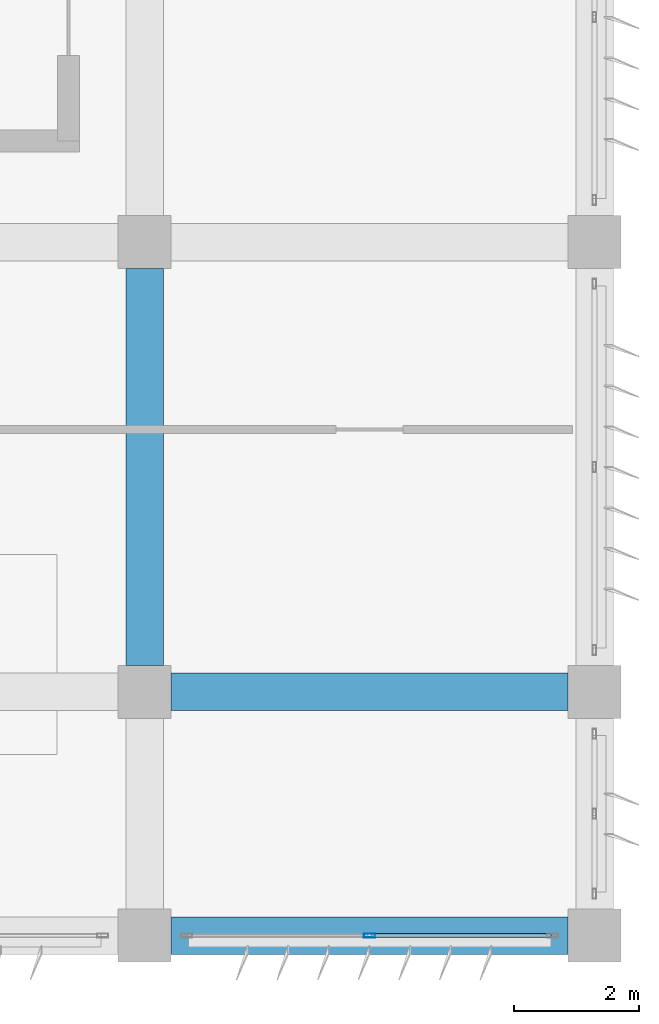
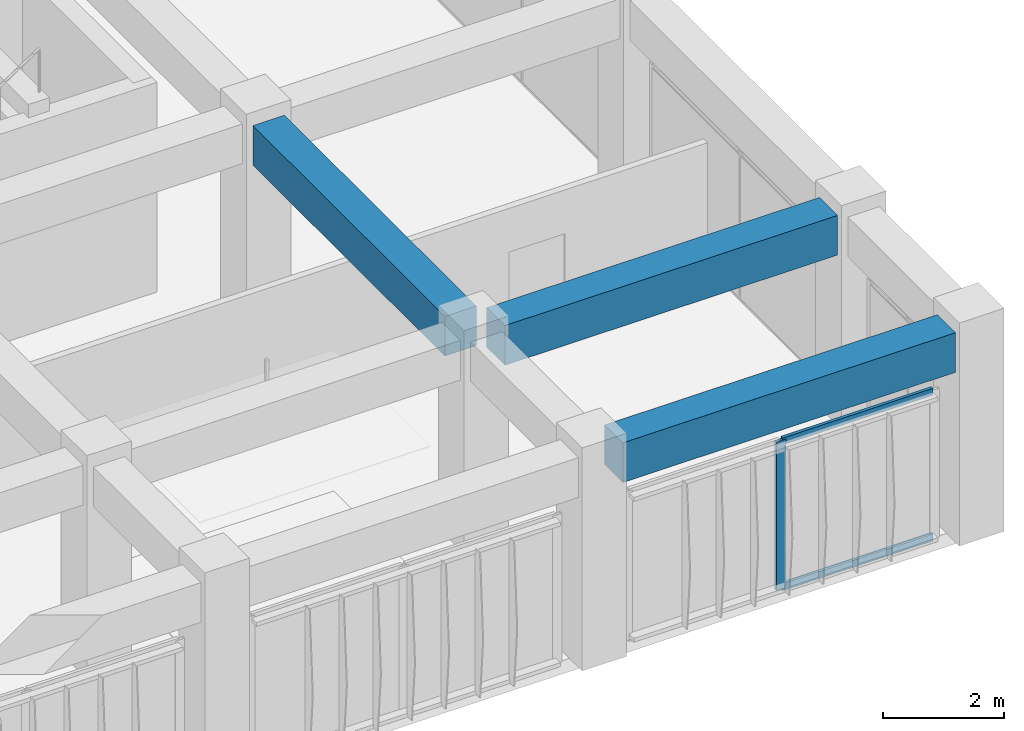
# One storey, part 17 of 48: 3 beams, 3 members, 1 element without a shape of its own.
"""IFC4 building model written with IfcOpenShell, lengths in metres."""

import ifcopenshell
import ifcopenshell.guid

model = None  # the IFC model being written
_history = None  # IfcOwnerHistory: only IFC2X3 demands one
_inside = {}  # id of a spatial element -> (the spatial element, [elements in it])
_under = {}  # id of a project, library or spatial element -> (it, [spatial elements below it])
_declared = {}  # id of a project -> (the project, [libraries it declares])
_typed = {}  # id of a type object -> (the type object, [elements of that type])
_made_of = {}  # id of a material, layer set ... -> (it, [elements and type objects made of it])


def new_model(schema):
    """Start an empty IFC model of exactly this schema.

    Asked for "IFC4X3", IfcOpenShell would pick the latest addendum, in which some entities
    have other attributes; the version numbers below select the first issue.
    IFC2X3 requires an IfcOwnerHistory on every rooted entity: one is made here for all.
    """
    global model, _history
    if schema == "IFC4X3":
        model = ifcopenshell.file(schema_version=(4, 3, 0, 0))
    else:
        model = ifcopenshell.file(schema=schema)
    _inside.clear()
    _under.clear()
    _declared.clear()
    _typed.clear()
    _made_of.clear()
    _history = None
    if model.schema == "IFC2X3":
        org = make("IfcOrganization", Name="unknown")
        user = make(
            "IfcPersonAndOrganization",
            ThePerson=make("IfcPerson", FamilyName="unknown"),
            TheOrganization=org,
        )
        app = make(
            "IfcApplication",
            ApplicationDeveloper=org,
            Version="unknown",
            ApplicationFullName="unknown",
            ApplicationIdentifier="unknown",
        )
        _history = make(
            "IfcOwnerHistory",
            OwningUser=user,
            OwningApplication=app,
            ChangeAction="ADDED",
            CreationDate=0,
        )
    return model


def make(cls, **values):
    """One entity of the class cls with the attributes given. An attribute that is None is left unset."""
    return model.create_entity(
        cls, **{name: value for name, value in values.items() if value is not None}
    )


def rooted(cls, **values):
    """An entity with a GlobalId (a new one), such as an element, a storey or a relation."""
    return make(cls, GlobalId=ifcopenshell.guid.new(), OwnerHistory=_history, **values)


def si_unit(unit_type, name, prefix=None):
    """IfcSIUnit, for example si_unit("LENGTHUNIT", "METRE", prefix="MILLI")."""
    return make("IfcSIUnit", UnitType=unit_type, Prefix=prefix, Name=name)


def assignment(units):
    """IfcUnitAssignment: the units of a project."""
    return None if units is None else make("IfcUnitAssignment", Units=units)


def point(xyz):
    """IfcCartesianPoint."""
    return None if xyz is None else make("IfcCartesianPoint", Coordinates=xyz)


def direction(xyz):
    """IfcDirection."""
    return None if xyz is None else make("IfcDirection", DirectionRatios=xyz)


def frame(location, z_axis=None, x_axis=None):
    """IfcAxis2Placement3D, a coordinate frame: its origin and axes. An axis left out is left unset."""
    return make(
        "IfcAxis2Placement3D",
        Location=point(location),
        Axis=direction(z_axis),
        RefDirection=direction(x_axis),
    )


def frame_2d(location, x_axis=None):
    """IfcAxis2Placement2D, a coordinate frame in the plane: its origin and x axis."""
    return make(
        "IfcAxis2Placement2D", Location=point(location), RefDirection=direction(x_axis)
    )


def origin():
    """The frame at (0, 0, 0) with its axes left unset."""
    return frame((0.0, 0.0, 0.0))


def origin_2d():
    """The frame at (0, 0) in the plane with its x axis left unset."""
    return frame_2d((0.0, 0.0))


def place(relative_to, where):
    """IfcLocalPlacement: puts the frame where relative to a parent placement (None: the world)."""
    return make(
        "IfcLocalPlacement", PlacementRelTo=relative_to, RelativePlacement=where
    )


def context(
    kind, dimensions, precision=None, world=None, true_north=None, identifier=None
):
    """IfcGeometricRepresentationContext, for example the 3D "Model" context."""
    return make(
        "IfcGeometricRepresentationContext",
        ContextIdentifier=identifier,
        ContextType=kind,
        CoordinateSpaceDimension=dimensions,
        Precision=precision,
        WorldCoordinateSystem=world,
        TrueNorth=true_north,
    )


def subcontext(parent, identifier, kind, view, scale=None):
    """IfcGeometricRepresentationSubContext, for example "Body" below "Model"."""
    return make(
        "IfcGeometricRepresentationSubContext",
        ContextIdentifier=identifier,
        ContextType=kind,
        ParentContext=parent,
        TargetScale=scale,
        TargetView=view,
    )


def project(units=None, contexts=None):
    """IfcProject with its units and contexts."""
    return rooted(
        "IfcProject",
        Name="project",
        RepresentationContexts=contexts,
        UnitsInContext=assignment(units),
    )


def spatial(cls, under=None, at=None, **own):
    """A site, building, storey or space (cls), placed at a placement, below another one or the project."""
    s = rooted(cls, ObjectPlacement=at, **own)
    if under is not None:
        _under.setdefault(under.id(), (under, []))[1].append(s)
    return s


def profile(cls, at=None, kind="AREA", **sizes):
    """A parametric profile (cls). Its sizes go by their IFC names, for example OverallWidth=200.0."""
    return make(cls, ProfileType=kind, Position=at, **sizes)


def rectangle(**sizes):
    """IfcRectangleProfileDef."""
    return profile("IfcRectangleProfileDef", **sizes)


def hollow_rectangle(**sizes):
    """IfcRectangleHollowProfileDef."""
    return profile("IfcRectangleHollowProfileDef", **sizes)


def extrude(swept, where, along, depth):
    """IfcExtrudedAreaSolid: the profile swept, set in the frame where, extruded along a direction by depth."""
    return make(
        "IfcExtrudedAreaSolid",
        SweptArea=swept,
        Position=where,
        ExtrudedDirection=direction(along),
        Depth=depth,
    )


def shape(context_of_items, identifier, shape_type, items):
    """IfcShapeRepresentation: the items that make up one representation, for example the "Body"."""
    return make(
        "IfcShapeRepresentation",
        ContextOfItems=context_of_items,
        RepresentationIdentifier=identifier,
        RepresentationType=shape_type,
        Items=items,
    )


def material(Name=None, Category=None):
    """IfcMaterial."""
    return make("IfcMaterial", Name=Name, Category=Category)


def material_profile(
    of_material, cross_section, Name=None, Category=None, Priority=None
):
    """IfcMaterialProfile: a cross section and its material."""
    return make(
        "IfcMaterialProfile",
        Name=Name,
        Material=of_material,
        Profile=cross_section,
        Priority=Priority,
        Category=Category,
    )


def profile_set(profiles, Name=None, composite=None):
    """IfcMaterialProfileSet."""
    return make(
        "IfcMaterialProfileSet",
        Name=Name,
        MaterialProfiles=profiles,
        CompositeProfile=composite,
    )


def made_of(thing, what):
    """Note that an element or type object is made of a material, layer set ...; save() writes the relation."""
    if what is not None:
        _made_of.setdefault(what.id(), (what, []))[1].append(thing)
    return thing


def type_object(cls, material=None, **own):
    """A type object (cls), such as IfcWallType, which elements share."""
    return made_of(rooted(cls, **own), material)


def element(
    cls,
    number,
    at=None,
    inside=None,
    cuts=None,
    type_object=None,
    material=None,
    context=None,
    identifier="Body",
    shape_type=None,
    held_by="IfcProductDefinitionShape",
    body=None,
    shapes=None,
    **own,
):
    """One element of the class cls, such as IfcWall. Its Tag is "e" and its number.

    at: its placement. inside: the storey or other place that contains it. cuts: it is an
    opening in that element (IfcRelVoidsElement). A single representation is given by context,
    identifier, shape_type and body (its items); several are given by shapes. held_by: the class
    of the entity that holds the representations. save() writes the other relations.
    """
    e = rooted(cls, Tag="e%d" % number, ObjectPlacement=at, **own)
    if body is not None:
        shapes = [shape(context, identifier, shape_type, body)]
    if shapes is not None:
        e.Representation = make(held_by, Representations=shapes)
    if inside is not None:
        _inside.setdefault(inside.id(), (inside, []))[1].append(e)
    if cuts is not None:
        rooted(
            "IfcRelVoidsElement", RelatingBuildingElement=cuts, RelatedOpeningElement=e
        )
    if type_object is not None:
        _typed.setdefault(type_object.id(), (type_object, []))[1].append(e)
    return made_of(e, material)


def aggregate(whole, parts):
    """IfcRelAggregates: a whole, such as a stair, and the parts it consists of."""
    return rooted("IfcRelAggregates", RelatingObject=whole, RelatedObjects=parts)


def save(model, path):
    """Write the relations noted so far, then the file.

    IfcRelAggregates (storeys below a building ...), IfcRelContainedInSpatialStructure (elements
    in a storey), IfcRelDefinesByType, IfcRelAssociatesMaterial and IfcRelDeclares: one each for
    every whole, place, type object, material and project.
    """
    for whole, parts in _under.values():
        aggregate(whole, parts)
    for where, things in _inside.values():
        rooted(
            "IfcRelContainedInSpatialStructure",
            RelatedElements=things,
            RelatingStructure=where,
        )
    for kind, things in _typed.values():
        rooted("IfcRelDefinesByType", RelatedObjects=things, RelatingType=kind)
    for what, things in _made_of.values():
        rooted("IfcRelAssociatesMaterial", RelatedObjects=things, RelatingMaterial=what)
    for by, libraries in _declared.values():
        rooted("IfcRelDeclares", RelatingContext=by, RelatedDefinitions=libraries)
    model.write(path)


model = new_model("IFC4")

# Units and contexts
model_context = context("Model", 3, precision=1e-05, world=origin(), true_north=direction((0.0, 1.0)))
body_context = subcontext(model_context, "Body", "Model", "MODEL_VIEW")
ifc_project = project(units=[si_unit("LENGTHUNIT", "METRE"), si_unit("AREAUNIT", "SQUARE_METRE"), si_unit("VOLUMEUNIT", "CUBIC_METRE"), si_unit("PLANEANGLEUNIT", "RADIAN"), si_unit("MASSUNIT", "GRAM", prefix="KILO")], contexts=[model_context])

# Site, building, storey
site_placement = place(None, origin())
site = spatial("IfcSite", under=ifc_project, at=site_placement, CompositionType="ELEMENT")
building_placement = place(site_placement, origin())
building = spatial("IfcBuilding", under=site, at=building_placement, Name="Kazehaya Institute of Natural Sciences", CompositionType="ELEMENT")
storey_placement = place(building_placement, frame((0.0, 0.0, 19.800048828125)))
storey = spatial("IfcBuildingStorey", under=building, at=storey_placement, Name="L04", CompositionType="ELEMENT", Elevation=19.800048828125)

# Beams
ifc_material_1 = material(Name="Concrete Fc36", Category="concrete")
ifc_material_profile_1 = material_profile(ifc_material_1, rectangle(XDim=0.60009765625, YDim=0.800048828125, at=origin_2d()), Name="RC-600x800")
ifc_profile_set_1 = profile_set([ifc_material_profile_1], Name="Concrete Fc36")
beam_type = type_object("IfcBeamType", Name="BM-G-600x800", PredefinedType="BEAM", material=ifc_profile_set_1)
for number, where, z_axis, x_axis, name in (
    (1, (112.625, 10.10009765625, 3.829833984375), (1.0, 0.0, 0.0), (0.0, 1.0, 0.0), "L04 primary X girder BMX-L04-1122-101"),
    (2, (112.625, 14.0, 3.829833984375), (1.0, 0.0, 0.0), (0.0, 1.0, 0.0), "L04 primary X girder BMX-L04-1122-140"),
):
    element("IfcBeam", number, at=place(storey_placement, frame(where, z_axis=z_axis, x_axis=x_axis)), inside=storey, type_object=beam_type, Name=name, PredefinedType="BEAM", context=body_context, shape_type="SweptSolid", body=[
        extrude(rectangle(XDim=0.60009765625, YDim=0.800048828125, at=origin_2d()), origin(), (0.0, 0.0, 1.0), 6.35009765625),
    ])
beam_placement = place(storey_placement, frame((112.199951171875, 14.425048828125, 3.829833984375), z_axis=(0.0, 1.0, 0.0), x_axis=(-1.0, 0.0, 0.0)))
element("IfcBeam", 3, at=beam_placement, inside=storey, type_object=beam_type, Name="L04 primary Y girder BMY-L04-1122-140", PredefinedType="BEAM", context=body_context, shape_type="SweptSolid", body=[
    extrude(rectangle(XDim=0.60009765625, YDim=0.800048828125, at=origin_2d()), origin(), (0.0, 0.0, 1.0), 6.349853515625),
])

# Curtain wall, members
ifc_material_2 = material(Name="Aluminium alloy A6063S-T5", Category="aluminium")
curtain_wall_type = type_object("IfcCurtainWallType", Name="CW-SYS-04", PredefinedType="NOTDEFINED", material=ifc_material_2)
curtain_wall_placement = place(storey_placement, origin())
curtain_wall = element("IfcCurtainWall", 4, at=curtain_wall_placement, inside=storey, type_object=curtain_wall_type, Name="L04 unitised curtain wall CW-L04-075", PredefinedType="NOTDEFINED")
ifc_material_profile_2 = material_profile(ifc_material_2, hollow_rectangle(XDim=0.06005859375, YDim=0.179931640625, WallThickness=0.00390625, at=origin_2d()), Name="ALU-60x180x4")
ifc_profile_set_2 = profile_set([ifc_material_profile_2], Name="Aluminium alloy A6063S-T5")
member_type_1 = type_object("IfcMemberType", Name="CWM-180", PredefinedType="MULLION", material=ifc_profile_set_2)
member_1_placement = place(storey_placement, frame((115.800048828125, 10.10009765625, 0.0), z_axis=(0.0, 0.0, 1.0), x_axis=(0.0, -1.0, 0.0)))
member_1 = element("IfcMember", 5, at=member_1_placement, type_object=member_type_1, Name="CW04 mullion 2", PredefinedType="MULLION", context=body_context, shape_type="SweptSolid", body=[
    extrude(hollow_rectangle(XDim=0.06005859375, YDim=0.179931640625, WallThickness=0.00390625, at=origin_2d()), origin(), (0.0, 0.0, 1.0), 3.0),
])
ifc_material_profile_3 = material_profile(ifc_material_2, hollow_rectangle(XDim=0.06005859375, YDim=0.139892578125, WallThickness=0.00341796875, at=origin_2d()), Name="ALU-60x140x3.5")
ifc_profile_set_3 = profile_set([ifc_material_profile_3], Name="Aluminium alloy A6063S-T5")
member_type_2 = type_object("IfcMemberType", Name="CWT-140", PredefinedType="USERDEFINED", material=ifc_profile_set_3)
member_2_placement = place(storey_placement, frame((118.699951171875, 10.10009765625, 0.030029296875), z_axis=(-1.0, 0.0, 0.0), x_axis=(0.0, -1.0, 0.0)))
member_2 = element("IfcMember", 6, at=member_2_placement, type_object=member_type_2, Name="CW04 transom 1.1", ObjectType="TRANSOM", PredefinedType="USERDEFINED", context=body_context, shape_type="SweptSolid", body=[
    extrude(hollow_rectangle(XDim=0.06005859375, YDim=0.139892578125, WallThickness=0.00341796875, at=origin_2d()), origin(), (0.0, 0.0, 1.0), 2.869873046875),
])
member_3_placement = place(storey_placement, frame((118.699951171875, 10.10009765625, 2.969970703125), z_axis=(-1.0, 0.0, 0.0), x_axis=(0.0, -1.0, 0.0)))
member_3 = element("IfcMember", 7, at=member_3_placement, type_object=member_type_2, Name="CW04 transom 1.2", ObjectType="TRANSOM", PredefinedType="USERDEFINED", context=body_context, shape_type="SweptSolid", body=[
    extrude(hollow_rectangle(XDim=0.06005859375, YDim=0.139892578125, WallThickness=0.00341796875, at=origin_2d()), origin(), (0.0, 0.0, 1.0), 2.869873046875),
])
aggregate(curtain_wall, [member_1, member_2, member_3])

save(model, "model.ifc")
